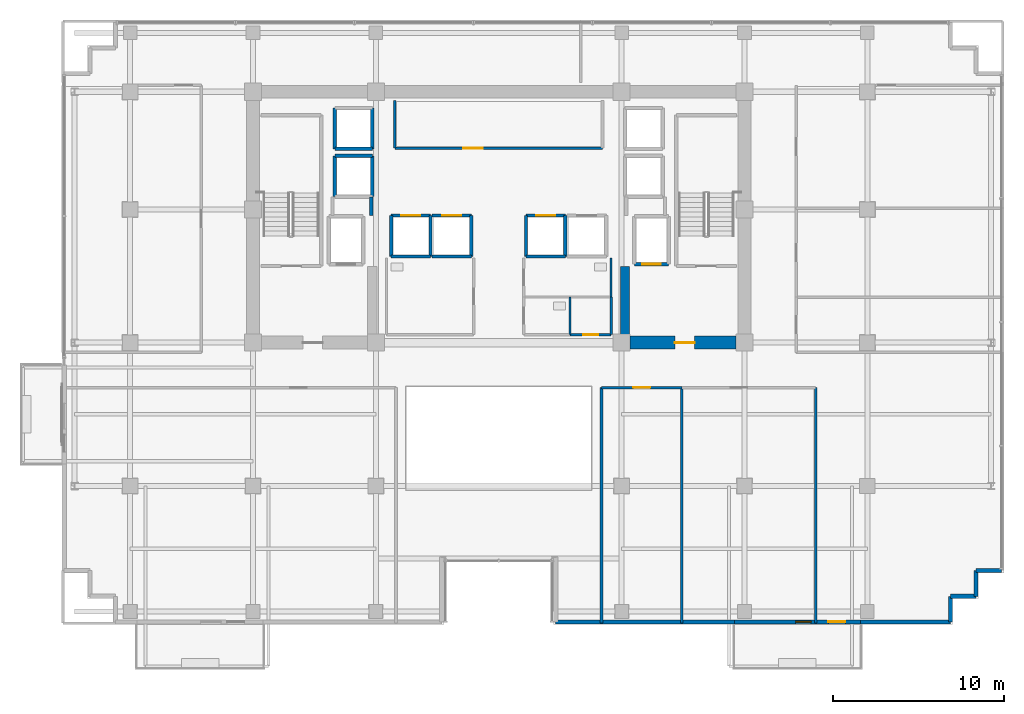
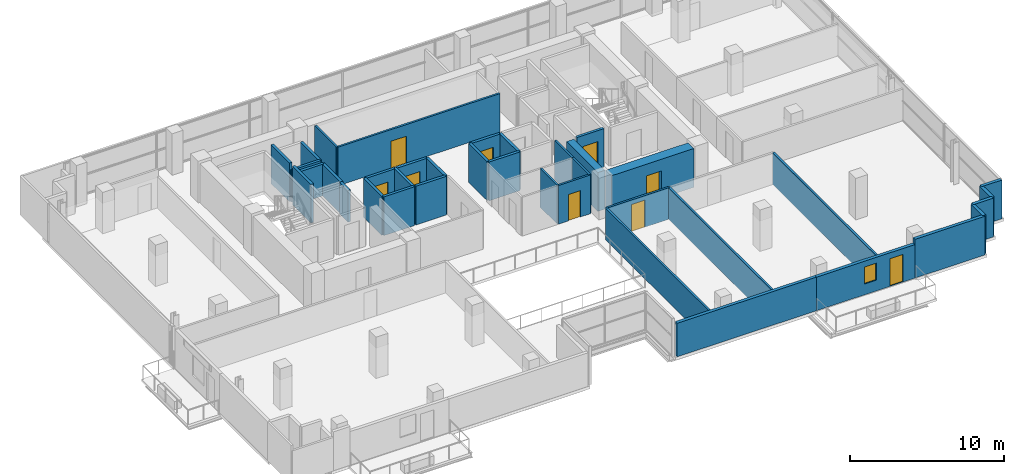
# One storey, part 16 of 23: 38 walls, 9 doors, 1 window, 10 openings.
"""IFC4 building model written with IfcOpenShell, lengths in metres."""

from ifc_helpers import new_model, si_unit, direction, frame, frame_2d, origin, place, context, subcontext, project, spatial, rectangle, extrude, source, transform, mapped, material, layer, layer_set, type_object, element, fill, save


model = new_model("IFC4")

# Units and contexts
model_context = context("Model", 3, precision=1e-05, world=origin(), true_north=direction((0.0, 1.0)))
body_context = subcontext(model_context, "Body", "Model", "MODEL_VIEW")
ifc_project = project(units=[si_unit("LENGTHUNIT", "METRE"), si_unit("AREAUNIT", "SQUARE_METRE"), si_unit("VOLUMEUNIT", "CUBIC_METRE"), si_unit("PLANEANGLEUNIT", "RADIAN"), si_unit("MASSUNIT", "GRAM", prefix="KILO")], contexts=[model_context])

# Site, building, storey
site_placement = place(None, origin())
site = spatial("IfcSite", under=ifc_project, at=site_placement, CompositionType="ELEMENT")
building_placement = place(site_placement, origin())
building = spatial("IfcBuilding", under=site, at=building_placement, Name="Zarnakvel Exchange Tower", CompositionType="ELEMENT")
storey_placement = place(building_placement, frame((0.0, 0.0, 129.699951171875)))
storey = spatial("IfcBuildingStorey", under=building, at=storey_placement, Name="L36", CompositionType="ELEMENT", Elevation=129.699951171875)

# Wall, opening, door
ifc_material_1 = material(Name="Concrete C60/75", Category="concrete")
ifc_layer_1 = layer(ifc_material_1, 0.75)
ifc_layer_set_1 = layer_set([ifc_layer_1], Name="Concrete C60/75")
wall_type_1 = type_object("IfcWallType", Name="CW-C3", PredefinedType="SHEAR", material=ifc_layer_set_1)
wall_1_placement = place(storey_placement, frame((13.89990234375, -1.199951171875, 0.0), z_axis=(0.0, 0.0, 1.0), x_axis=(-1.0, 0.0, 0.0)))
wall_1 = element("IfcWall", 1, at=wall_1_placement, inside=storey, type_object=wall_type_1, Name="L36 Rear Core Shear Wall SE (CW-C3)", PredefinedType="SHEAR", context=body_context, shape_type="SweptSolid", body=[
    extrude(rectangle(XDim=6.199951171875, YDim=0.75, at=frame_2d((3.10009765625, 0.0))), origin(), (0.0, 0.0, 1.0), 3.074951171875),
])
opening_1_placement = place(wall_1_placement, frame((2.425048828125, 0.0, 0.0)))
opening_1 = element("IfcOpeningElement", 2, at=opening_1_placement, cuts=wall_1, Name="Opening D-L36-04", PredefinedType="OPENING", context=body_context, shape_type="SweptSolid", body=[
    extrude(rectangle(XDim=1.14990234375, YDim=2.14990234375, at=frame_2d((0.574951171875, 1.074951171875))), frame((0.0, 0.385009765625, 0.0), z_axis=(0.0, -1.0, 0.0), x_axis=(1.0, 0.0, 0.0)), (0.0, 0.0, 1.0), 0.77001953125),
])
ifc_material_2 = material(Name="Painted Galvanised Steel S355", Category="steel")
door_type_1 = type_object("IfcDoorType", Name="DT-04", OperationType="NOTDEFINED", PredefinedType="DOOR", material=ifc_material_2)
shared_shape_1 = source(origin(), body_context, "Body", "SweptSolid", [
    extrude(rectangle(XDim=1.14990234375, YDim=2.14990234375, at=frame_2d((0.574951171875, 1.074951171875))), frame((0.0, 0.02490234375, 0.0), z_axis=(0.0, -1.0, 0.0), x_axis=(1.0, 0.0, 0.0)), (0.0, 0.0, 1.0), 0.050048828125),
])
door_1_placement = place(opening_1_placement, origin())
door_1 = element("IfcDoor", 3, at=door_1_placement, inside=storey, type_object=door_type_1, Name="L36 Firefighting Lobby East Door D-L36-04", OperationType="SINGLE_SWING_RIGHT", OverallHeight=2.14990234375, OverallWidth=1.14990234375, PredefinedType="DOOR", context=body_context, shape_type="MappedRepresentation", body=[
    mapped(shared_shape_1, transform((0.0, 0.0, 0.0), x_axis=(1.0, 0.0, 0.0), y_axis=(0.0, 1.0, 0.0), z_axis=(0.0, 0.0, 1.0), scale=1.0)),
])
fill(opening_1, door_1)

# Wall
ifc_layer_2 = layer(ifc_material_1, 0.550048828125)
ifc_layer_set_2 = layer_set([ifc_layer_2], Name="Concrete C60/75")
wall_type_2 = type_object("IfcWallType", Name="CW-C4", PredefinedType="SHEAR", material=ifc_layer_set_2)
wall_2_placement = place(storey_placement, frame((7.39990234375, -0.824951171875, 0.0), z_axis=(0.0, 0.0, 1.0), x_axis=(0.0, 1.0, 0.0)))
element("IfcWall", 4, at=wall_2_placement, inside=storey, type_object=wall_type_2, Name="L36 Rear Core Shear Wall IE (CW-C4)", PredefinedType="SHEAR", context=body_context, shape_type="SweptSolid", body=[
    extrude(rectangle(XDim=4.074951171875, YDim=0.550048828125, at=frame_2d((2.03759765625, 0.0))), origin(), (0.0, 0.0, 1.0), 3.074951171875),
])

# Wall, openings, door, window
ifc_material_3 = material(Name="Precast concrete C40/50", Category="concrete")
ifc_layer_3 = layer(ifc_material_3, 0.239990234375)
ifc_layer_set_3 = layer_set([ifc_layer_3], Name="Precast concrete C40/50")
wall_type_3 = type_object("IfcWallType", Name="EW-02", PredefinedType="SOLIDWALL", material=ifc_layer_set_3)
wall_3_placement = place(storey_placement, frame((21.199951171875, -17.56005859375, 0.0), z_axis=(0.0, 0.0, 1.0), x_axis=(-1.0, 0.0, 0.0)))
wall_3 = element("IfcWall", 5, at=wall_3_placement, inside=storey, type_object=wall_type_3, Name="L36 Exterior Precast Spandrel Wall EW-BAL-L36-SE (EW-02)", PredefinedType="SOLIDWALL", context=body_context, shape_type="SweptSolid", body=[
    extrude(rectangle(XDim=7.39990234375, YDim=0.239990234375, at=frame_2d((3.699951171875, 0.0))), origin(), (0.0, 0.0, 1.0), 2.6650390625),
])
opening_2_placement = place(wall_3_placement, frame((0.887939453125, 0.0, 0.0)))
opening_2 = element("IfcOpeningElement", 6, at=opening_2_placement, cuts=wall_3, Name="Opening BD-L36-02", PredefinedType="OPENING", context=body_context, shape_type="SweptSolid", body=[
    extrude(rectangle(XDim=1.0, YDim=2.199951171875, at=frame_2d((0.5, 1.10009765625))), frame((0.0, 0.1298828125, 0.0), z_axis=(0.0, -1.0, 0.0), x_axis=(1.0, 0.0, 0.0)), (0.0, 0.0, 1.0), 0.260009765625),
])
opening_3_placement = place(wall_3_placement, frame((2.89990234375, 0.0, 0.85009765625)))
opening_3 = element("IfcOpeningElement", 7, at=opening_3_placement, cuts=wall_3, Name="Opening WN-06", PredefinedType="OPENING", context=body_context, shape_type="SweptSolid", body=[
    extrude(rectangle(XDim=0.89990234375, YDim=1.35009765625, at=frame_2d((0.449951171875, 0.675048828125))), frame((0.0, 0.1298828125, 0.0), z_axis=(0.0, -1.0, 0.0), x_axis=(1.0, 0.0, 0.0)), (0.0, 0.0, 1.0), 0.260009765625),
])
ifc_material_4 = material(Name="Architectural Bronze Anodised Aluminium", Category="aluminium")
door_type_2 = type_object("IfcDoorType", Name="DT-09", OperationType="NOTDEFINED", PredefinedType="DOOR", material=ifc_material_4)
shared_shape_2 = source(origin(), body_context, "Body", "SweptSolid", [
    extrude(rectangle(XDim=1.0, YDim=2.199951171875, at=frame_2d((0.5, 1.10009765625))), frame((0.0, 0.02490234375, 0.0), z_axis=(0.0, -1.0, 0.0), x_axis=(1.0, 0.0, 0.0)), (0.0, 0.0, 1.0), 0.050048828125),
])
door_2_placement = place(opening_2_placement, origin())
door_2 = element("IfcDoor", 8, at=door_2_placement, inside=storey, type_object=door_type_2, Name="L36 Planted Loggia Balcony Door BD-L36-02", OperationType="SINGLE_SWING_LEFT", OverallHeight=2.199951171875, OverallWidth=1.0, PredefinedType="DOOR", context=body_context, shape_type="MappedRepresentation", body=[
    mapped(shared_shape_2, transform((0.0, 0.0, 0.0), x_axis=(1.0, 0.0, 0.0), y_axis=(0.0, 1.0, 0.0), z_axis=(0.0, 0.0, 1.0), scale=1.0)),
])
fill(opening_2, door_2)
ifc_material_5 = material(Name="Double Low-E Laminated Vision Glass", Category="glass")
window_type = type_object("IfcWindowType", Name="WN-06", PartitioningType="SINGLE_PANEL", PredefinedType="WINDOW", material=ifc_material_5)
shared_shape_3 = source(origin(), body_context, "Body", "SweptSolid", [
    extrude(rectangle(XDim=0.89990234375, YDim=1.35009765625, at=frame_2d((0.449951171875, 0.675048828125))), frame((0.0, 0.030029296875, 0.0), z_axis=(0.0, -1.0, 0.0), x_axis=(1.0, 0.0, 0.0)), (0.0, 0.0, 1.0), 0.06005859375),
])
window_placement = place(opening_3_placement, origin())
window = element("IfcWindow", 9, at=window_placement, inside=storey, type_object=window_type, Name="L36 Loggia Daylight Window (WN-06)", OverallHeight=1.35009765625, OverallWidth=0.89990234375, PartitioningType="SINGLE_PANEL", PredefinedType="WINDOW", context=body_context, shape_type="MappedRepresentation", body=[
    mapped(shared_shape_3, transform((0.0, 0.0, 0.0), x_axis=(1.0, 0.0, 0.0), y_axis=(0.0, 1.0, 0.0), z_axis=(0.0, 0.0, 1.0), scale=1.0)),
])
fill(opening_3, window)

# Walls
for number, where, z_axis, x_axis, name in (
    (10, (27.9599609375, -14.56005859375, 0.0), (0.0, 0.0, 1.0), (1.0, 0.0, 0.0), "L36 Exterior Precast Spandrel Wall EWC-L36-11 (EW-02)"),
    (11, (27.9599609375, -16.06005859375, 0.0), (0.0, 0.0, 1.0), (0.0, 1.0, 0.0), "L36 Exterior Precast Spandrel Wall EWC-L36-12 (EW-02)"),
    (12, (26.4599609375, -16.06005859375, 0.0), (0.0, 0.0, 1.0), (1.0, 0.0, 0.0), "L36 Exterior Precast Spandrel Wall EWC-L36-13 (EW-02)"),
    (13, (26.4599609375, -17.56005859375, 0.0), (0.0, 0.0, 1.0), (0.0, 1.0, 0.0), "L36 Exterior Precast Spandrel Wall EWC-L36-14 (EW-02)"),
):
    element("IfcWall", number, at=place(storey_placement, frame(where, z_axis=z_axis, x_axis=x_axis)), inside=storey, type_object=wall_type_3, Name=name, PredefinedType="SOLIDWALL", context=body_context, shape_type="SweptSolid", body=[
        extrude(rectangle(XDim=1.5, YDim=0.239990234375, at=frame_2d((0.75, 0.0))), origin(), (0.0, 0.0, 1.0), 3.074951171875),
    ])
wall_4_placement = place(storey_placement, frame((21.199951171875, -17.56005859375, 0.0), z_axis=(0.0, 0.0, 1.0), x_axis=(1.0, 0.0, 0.0)))
element("IfcWall", 14, at=wall_4_placement, inside=storey, type_object=wall_type_3, Name="L36 Exterior Precast Spandrel Wall EWC-L36-15 (EW-02)", PredefinedType="SOLIDWALL", context=body_context, shape_type="SweptSolid", body=[
    extrude(rectangle(XDim=5.260009765625, YDim=0.239990234375, at=frame_2d((2.6298828125, 0.0))), origin(), (0.0, 0.0, 1.0), 3.074951171875),
])
wall_5_placement = place(storey_placement, frame((3.340087890625, -17.56005859375, 0.0), z_axis=(0.0, 0.0, 1.0), x_axis=(1.0, 0.0, 0.0)))
element("IfcWall", 15, at=wall_5_placement, inside=storey, type_object=wall_type_3, Name="L36 Exterior Precast Spandrel Wall EWC-L36-16 (EW-02)", PredefinedType="SOLIDWALL", context=body_context, shape_type="SweptSolid", body=[
    extrude(rectangle(XDim=10.4599609375, YDim=0.239990234375, at=frame_2d((5.22998046875, 0.0))), origin(), (0.0, 0.0, 1.0), 2.6650390625),
])

# Wall, opening, door
ifc_material_6 = material(Name="Fire-Rated Gypsum Stud Partition", Category="gypsum")
ifc_layer_4 = layer(ifc_material_6, 0.14990234375)
ifc_layer_set_4 = layer_set([ifc_layer_4], Name="Fire-Rated Gypsum Stud Partition")
wall_type_4 = type_object("IfcWallType", Name="PT-01", PredefinedType="PARTITIONING", material=ifc_layer_set_4)
wall_6_placement = place(storey_placement, frame((6.080078125, 10.199951171875, 0.0), z_axis=(0.0, 0.0, 1.0), x_axis=(-1.0, 0.0, 0.0)))
wall_6 = element("IfcWall", 16, at=wall_6_placement, inside=storey, type_object=wall_type_4, Name="L36 Partition Wall PWALL-L36-011 (PT-01)", PredefinedType="PARTITIONING", context=body_context, shape_type="SweptSolid", body=[
    extrude(rectangle(XDim=12.16015625, YDim=0.14990234375, at=frame_2d((6.080078125, 0.0))), origin(), (0.0, 0.0, 1.0), 3.074951171875),
])
opening_4_placement = place(wall_6_placement, frame((7.0048828125, 0.0, 0.0)))
opening_4 = element("IfcOpeningElement", 17, at=opening_4_placement, cuts=wall_6, Name="Opening D-L36-05", PredefinedType="OPENING", context=body_context, shape_type="SweptSolid", body=[
    extrude(rectangle(XDim=1.14990234375, YDim=2.14990234375, at=frame_2d((0.574951171875, 1.074951171875))), frame((0.0, 0.0849609375, 0.0), z_axis=(0.0, -1.0, 0.0), x_axis=(1.0, 0.0, 0.0)), (0.0, 0.0, 1.0), 0.169921875),
])
door_3_placement = place(opening_4_placement, origin())
door_3 = element("IfcDoor", 18, at=door_3_placement, inside=storey, type_object=door_type_1, Name="L36 Market Data Archive Suite Door D-L36-05", OperationType="SINGLE_SWING_LEFT", OverallHeight=2.14990234375, OverallWidth=1.14990234375, PredefinedType="DOOR", context=body_context, shape_type="MappedRepresentation", body=[
    mapped(shared_shape_1, transform((0.0, 0.0, 0.0), x_axis=(1.0, 0.0, 0.0), y_axis=(0.0, 1.0, 0.0), z_axis=(0.0, 0.0, 1.0), scale=1.0)),
])
fill(opening_4, door_3)

# Wall
wall_7_placement = place(storey_placement, frame((-6.080078125, 10.199951171875, 0.0), z_axis=(0.0, 0.0, 1.0), x_axis=(0.0, 1.0, 0.0)))
element("IfcWall", 19, at=wall_7_placement, inside=storey, type_object=wall_type_4, Name="L36 Partition Wall PWALL-L36-012 (PT-01)", PredefinedType="PARTITIONING", context=body_context, shape_type="SweptSolid", body=[
    extrude(rectangle(XDim=2.800048828125, YDim=0.14990234375, at=frame_2d((1.39990234375, 0.0))), origin(), (0.0, 0.0, 1.0), 3.074951171875),
])

# Wall, opening, door
wall_8_placement = place(storey_placement, frame((6.580078125, -0.72998046875, 0.0), z_axis=(0.0, 0.0, 1.0), x_axis=(-1.0, 0.0, 0.0)))
wall_8 = element("IfcWall", 20, at=wall_8_placement, inside=storey, type_object=wall_type_4, Name="L36 Partition Wall PWALL-L36-023 (PT-01)", PredefinedType="PARTITIONING", context=body_context, shape_type="SweptSolid", body=[
    extrude(rectangle(XDim=2.400146484375, YDim=0.14990234375, at=frame_2d((1.2001953125, 0.0))), origin(), (0.0, 0.0, 1.0), 3.074951171875),
])
opening_5_placement = place(wall_8_placement, frame((0.760009765625, 0.0, 0.0)))
opening_5 = element("IfcOpeningElement", 21, at=opening_5_placement, cuts=wall_8, Name="Opening D-L36-09", PredefinedType="OPENING", context=body_context, shape_type="SweptSolid", body=[
    extrude(rectangle(XDim=0.8798828125, YDim=2.10009765625, at=frame_2d((0.43994140625, 1.050048828125))), frame((0.0, 0.0849609375, 0.0), z_axis=(0.0, -1.0, 0.0), x_axis=(1.0, 0.0, 0.0)), (0.0, 0.0, 1.0), 0.169921875),
])
door_type_3 = type_object("IfcDoorType", Name="DT-08", OperationType="NOTDEFINED", PredefinedType="DOOR", material=ifc_material_2)
shared_shape_4 = source(origin(), body_context, "Body", "SweptSolid", [
    extrude(rectangle(XDim=0.8798828125, YDim=2.10009765625, at=frame_2d((0.43994140625, 1.050048828125))), frame((0.0, 0.02490234375, 0.0), z_axis=(0.0, -1.0, 0.0), x_axis=(1.0, 0.0, 0.0)), (0.0, 0.0, 1.0), 0.050048828125),
])
door_4_placement = place(opening_5_placement, origin())
door_4 = element("IfcDoor", 22, at=door_4_placement, inside=storey, type_object=door_type_3, Name="L36 Cleaners Store Door D-L36-09", OperationType="SINGLE_SWING_LEFT", OverallHeight=2.10009765625, OverallWidth=0.8798828125, PredefinedType="DOOR", context=body_context, shape_type="MappedRepresentation", body=[
    mapped(shared_shape_4, transform((0.0, 0.0, 0.0), x_axis=(1.0, 0.0, 0.0), y_axis=(0.0, 1.0, 0.0), z_axis=(0.0, 0.0, 1.0), scale=1.0)),
])
fill(opening_5, door_4)

# Wall
wall_9_placement = place(storey_placement, frame((6.580078125, 1.47998046875, 0.0), z_axis=(0.0, 0.0, 1.0), x_axis=(0.0, -1.0, 0.0)))
element("IfcWall", 23, at=wall_9_placement, inside=storey, type_object=wall_type_4, Name="L36 Partition Wall PWALL-L36-024 (PT-01)", PredefinedType="PARTITIONING", context=body_context, shape_type="SweptSolid", body=[
    extrude(rectangle(XDim=2.2099609375, YDim=0.14990234375, at=frame_2d((1.10498046875, 0.0))), origin(), (0.0, 0.0, 1.0), 3.074951171875),
])

# Wall, opening, door
wall_10_placement = place(storey_placement, frame((6.02001953125, -3.830078125, 0.0), z_axis=(0.0, 0.0, 1.0), x_axis=(1.0, 0.0, 0.0)))
wall_10 = element("IfcWall", 24, at=wall_10_placement, inside=storey, type_object=wall_type_4, Name="L36 Partition Wall PWALL-L36-030 (PT-01)", PredefinedType="PARTITIONING", context=body_context, shape_type="SweptSolid", body=[
    extrude(rectangle(XDim=4.708984375, YDim=0.14990234375, at=frame_2d((2.3544921875, 0.0))), origin(), (0.0, 0.0, 1.0), 2.51513671875),
])
opening_6_placement = place(wall_10_placement, frame((1.864990234375, 0.0, 0.0)))
opening_6 = element("IfcOpeningElement", 25, at=opening_6_placement, cuts=wall_10, Name="Opening D-L36-11", PredefinedType="OPENING", context=body_context, shape_type="SweptSolid", body=[
    extrude(rectangle(XDim=0.97998046875, YDim=2.14990234375, at=frame_2d((0.489990234375, 1.074951171875))), frame((0.0, 0.0849609375, 0.0), z_axis=(0.0, -1.0, 0.0), x_axis=(1.0, 0.0, 0.0)), (0.0, 0.0, 1.0), 0.169921875),
])
ifc_material_7 = material(Name="Timber Acoustic Veneer", Category="wood")
door_type_4 = type_object("IfcDoorType", Name="DT-05", OperationType="NOTDEFINED", PredefinedType="DOOR", material=ifc_material_7)
shared_shape_5 = source(origin(), body_context, "Body", "SweptSolid", [
    extrude(rectangle(XDim=0.97998046875, YDim=2.14990234375, at=frame_2d((0.489990234375, 1.074951171875))), frame((0.0, 0.02490234375, 0.0), z_axis=(0.0, -1.0, 0.0), x_axis=(1.0, 0.0, 0.0)), (0.0, 0.0, 1.0), 0.050048828125),
])
door_5_placement = place(opening_6_placement, origin())
door_5 = element("IfcDoor", 26, at=door_5_placement, inside=storey, type_object=door_type_4, Name="L36 Meeting Room Door D-L36-11", OperationType="SINGLE_SWING_LEFT", OverallHeight=2.14990234375, OverallWidth=0.97998046875, PredefinedType="DOOR", context=body_context, shape_type="MappedRepresentation", body=[
    mapped(shared_shape_5, transform((0.0, 0.0, 0.0), x_axis=(1.0, 0.0, 0.0), y_axis=(0.0, 1.0, 0.0), z_axis=(0.0, 0.0, 1.0), scale=1.0)),
])
fill(opening_6, door_5)

# Walls
for number, where, z_axis, x_axis, name in (
    (27, (6.02001953125, -17.6298828125, 0.0), (0.0, 0.0, 1.0), (0.0, 1.0, 0.0), "L36 Partition Wall PWALL-L36-031 (PT-01)"),
    (28, (10.72900390625, -3.830078125, 0.0), (0.0, 0.0, 1.0), (0.0, -1.0, 0.0), "L36 Partition Wall PWALL-L36-032 (PT-01)"),
    (29, (18.56591796875, -3.830078125, 0.0), (0.0, 0.0, 1.0), (0.0, -1.0, 0.0), "L36 Partition Wall PWALL-L36-035 (PT-01)"),
):
    element("IfcWall", number, at=place(storey_placement, frame(where, z_axis=z_axis, x_axis=x_axis)), inside=storey, type_object=wall_type_4, Name=name, PredefinedType="PARTITIONING", context=body_context, shape_type="SweptSolid", body=[
        extrude(rectangle(XDim=13.7998046875, YDim=0.14990234375, at=frame_2d((6.89990234375, 0.0))), origin(), (0.0, 0.0, 1.0), 2.51513671875),
    ])
ifc_layer_5 = layer(ifc_material_6, 0.179931640625)
ifc_layer_set_5 = layer_set([ifc_layer_5], Name="Fire-Rated Gypsum Stud Partition")
wall_type_5 = type_object("IfcWallType", Name="PT-02", PredefinedType="PARTITIONING", material=ifc_layer_set_5)
wall_11_placement = place(storey_placement, frame((-7.469970703125, 7.330078125, 0.0), z_axis=(0.0, 0.0, 1.0), x_axis=(0.0, -1.0, 0.0)))
element("IfcWall", 30, at=wall_11_placement, inside=storey, type_object=wall_type_5, Name="L36 Partition Wall PWALL-L36-008 (PT-02)", PredefinedType="PARTITIONING", context=body_context, shape_type="SweptSolid", body=[
    extrude(rectangle(XDim=1.090087890625, YDim=0.179931640625, at=frame_2d((0.544921875, 0.0))), origin(), (0.0, 0.0, 1.0), 2.51513671875),
])
ifc_material_8 = material(Name="Moisture-Resistant Tile-Faced Partition", Category="gypsum")
ifc_layer_6 = layer(ifc_material_8, 0.135009765625)
ifc_layer_set_6 = layer_set([ifc_layer_6], Name="Moisture-Resistant Tile-Faced Partition")
wall_type_6 = type_object("IfcWallType", Name="PT-03", PredefinedType="PARTITIONING", material=ifc_layer_set_6)
wall_12_placement = place(storey_placement, frame((6.580078125, 3.760009765625, 0.0), z_axis=(0.0, 0.0, 1.0), x_axis=(0.0, -1.0, 0.0)))
element("IfcWall", 31, at=wall_12_placement, inside=storey, type_object=wall_type_6, Name="L36 Partition Wall PWALL-L36-019 (PT-03)", PredefinedType="PARTITIONING", context=body_context, shape_type="SweptSolid", body=[
    extrude(rectangle(XDim=2.280029296875, YDim=0.135009765625, at=frame_2d((1.14013671875, 0.0))), origin(), (0.0, 0.0, 1.0), 3.074951171875),
])
wall_13_placement = place(storey_placement, frame((4.179931640625, 1.47998046875, 0.0), z_axis=(0.0, 0.0, 1.0), x_axis=(0.0, -1.0, 0.0)))
element("IfcWall", 32, at=wall_13_placement, inside=storey, type_object=wall_type_6, Name="L36 Partition Wall PWALL-L36-022 (PT-03)", PredefinedType="PARTITIONING", context=body_context, shape_type="SweptSolid", body=[
    extrude(rectangle(XDim=2.2099609375, YDim=0.135009765625, at=frame_2d((1.10498046875, 0.0))), origin(), (0.0, 0.0, 1.0), 3.074951171875),
])

# Wall, opening, door
ifc_material_9 = material(Name="Concrete C40/50", Category="concrete")
ifc_layer_7 = layer(ifc_material_9, 0.199951171875)
ifc_layer_set_7 = layer_set([ifc_layer_7], Name="Concrete C40/50")
wall_type_7 = type_object("IfcWallType", Name="SW-01", PredefinedType="SOLIDWALL", material=ifc_layer_set_7)
wall_14_placement = place(storey_placement, frame((9.949951171875, 3.39990234375, 0.0), z_axis=(0.0, 0.0, 1.0), x_axis=(-1.0, 0.0, 0.0)))
wall_14 = element("IfcWall", 33, at=wall_14_placement, inside=storey, type_object=wall_type_7, Name="L36 FL-02 Hoistway Wall South", PredefinedType="SOLIDWALL", context=body_context, shape_type="SweptSolid", body=[
    extrude(rectangle(XDim=2.0, YDim=0.199951171875, at=frame_2d((1.0, 0.0))), origin(), (0.0, 0.0, 1.0), 3.074951171875),
])
opening_7_placement = place(wall_14_placement, frame((0.449951171875, 0.0, 0.0)))
opening_7 = element("IfcOpeningElement", 34, at=opening_7_placement, cuts=wall_14, Name="Opening LD-FL-02-L36", PredefinedType="OPENING", context=body_context, shape_type="SweptSolid", body=[
    extrude(rectangle(XDim=1.10009765625, YDim=2.199951171875, at=frame_2d((0.550048828125, 1.10009765625))), frame((0.0, 0.10986328125, 0.0), z_axis=(0.0, -1.0, 0.0), x_axis=(1.0, 0.0, 0.0)), (0.0, 0.0, 1.0), 0.219970703125),
])
ifc_material_10 = material(Name="Brushed Stainless Steel", Category="steel")
door_type_5 = type_object("IfcDoorType", Name="LDT-01", OperationType="NOTDEFINED", PredefinedType="DOOR", material=ifc_material_10)
shared_shape_6 = source(origin(), body_context, "Body", "SweptSolid", [
    extrude(rectangle(XDim=1.10009765625, YDim=2.199951171875, at=frame_2d((0.550048828125, 1.10009765625))), frame((0.0, 0.02490234375, 0.0), z_axis=(0.0, -1.0, 0.0), x_axis=(1.0, 0.0, 0.0)), (0.0, 0.0, 1.0), 0.050048828125),
])
door_6_placement = place(opening_7_placement, origin())
door_6 = element("IfcDoor", 35, at=door_6_placement, inside=storey, type_object=door_type_5, Name="L36 FL-02 Lift Landing Door LD-FL-02-L36", OperationType="DOUBLE_DOOR_SLIDING", OverallHeight=2.199951171875, OverallWidth=1.10009765625, PredefinedType="DOOR", context=body_context, shape_type="MappedRepresentation", body=[
    mapped(shared_shape_6, transform((0.0, 0.0, 0.0), x_axis=(1.0, 0.0, 0.0), y_axis=(0.0, 1.0, 0.0), z_axis=(0.0, 0.0, 1.0), scale=1.0)),
])
fill(opening_7, door_6)

# Wall
wall_15_placement = place(storey_placement, frame((-4.0, 3.85009765625, 0.0), z_axis=(0.0, 0.0, 1.0), x_axis=(-1.0, 0.0, 0.0)))
element("IfcWall", 36, at=wall_15_placement, inside=storey, type_object=wall_type_7, Name="L36 PL-05 Hoistway Wall South", PredefinedType="SOLIDWALL", context=body_context, shape_type="SweptSolid", body=[
    extrude(rectangle(XDim=2.300048828125, YDim=0.199951171875, at=frame_2d((1.14990234375, 0.0))), origin(), (0.0, 0.0, 1.0), 3.074951171875),
])

# Wall, opening, door
wall_16_placement = place(storey_placement, frame((-6.300048828125, 6.25, 0.0), z_axis=(0.0, 0.0, 1.0), x_axis=(1.0, 0.0, 0.0)))
wall_16 = element("IfcWall", 37, at=wall_16_placement, inside=storey, type_object=wall_type_7, Name="L36 PL-05 Hoistway Wall North", PredefinedType="SOLIDWALL", context=body_context, shape_type="SweptSolid", body=[
    extrude(rectangle(XDim=2.300048828125, YDim=0.199951171875, at=frame_2d((1.14990234375, 0.0))), origin(), (0.0, 0.0, 1.0), 3.074951171875),
])
opening_8_placement = place(wall_16_placement, frame((0.60009765625, 0.0, 0.0)))
opening_8 = element("IfcOpeningElement", 38, at=opening_8_placement, cuts=wall_16, Name="Opening LD-PL-05-L36", PredefinedType="OPENING", context=body_context, shape_type="SweptSolid", body=[
    extrude(rectangle(XDim=1.10009765625, YDim=2.199951171875, at=frame_2d((0.550048828125, 1.10009765625))), frame((0.0, 0.10986328125, 0.0), z_axis=(0.0, -1.0, 0.0), x_axis=(1.0, 0.0, 0.0)), (0.0, 0.0, 1.0), 0.219970703125),
])
door_type_6 = type_object("IfcDoorType", Name="LDT-02", OperationType="NOTDEFINED", PredefinedType="DOOR", material=ifc_material_4)
door_7_placement = place(opening_8_placement, origin())
door_7 = element("IfcDoor", 39, at=door_7_placement, inside=storey, type_object=door_type_6, Name="L36 PL-05 Lift Landing Door LD-PL-05-L36", OperationType="DOUBLE_DOOR_SLIDING", OverallHeight=2.199951171875, OverallWidth=1.10009765625, PredefinedType="DOOR", context=body_context, shape_type="MappedRepresentation", body=[
    mapped(shared_shape_6, transform((0.0, 0.0, 0.0), x_axis=(1.0, 0.0, 0.0), y_axis=(0.0, 1.0, 0.0), z_axis=(0.0, 0.0, 1.0), scale=1.0)),
])
fill(opening_8, door_7)

# Walls
for number, where, z_axis, x_axis, name in (
    (40, (-6.300048828125, 3.85009765625, 0.0), (0.0, 0.0, 1.0), (0.0, 1.0, 0.0), "L36 PL-05 Hoistway Wall West"),
    (41, (-4.0, 6.25, 0.0), (0.0, 0.0, 1.0), (0.0, -1.0, 0.0), "L36 PL-05 Hoistway Wall East"),
):
    element("IfcWall", number, at=place(storey_placement, frame(where, z_axis=z_axis, x_axis=x_axis)), inside=storey, type_object=wall_type_7, Name=name, PredefinedType="SOLIDWALL", context=body_context, shape_type="SweptSolid", body=[
        extrude(rectangle(XDim=2.39990234375, YDim=0.199951171875, at=frame_2d((1.199951171875, 0.0))), origin(), (0.0, 0.0, 1.0), 3.074951171875),
    ])
wall_17_placement = place(storey_placement, frame((-1.60009765625, 3.85009765625, 0.0), z_axis=(0.0, 0.0, 1.0), x_axis=(-1.0, 0.0, 0.0)))
element("IfcWall", 42, at=wall_17_placement, inside=storey, type_object=wall_type_7, Name="L36 PL-06 Hoistway Wall South", PredefinedType="SOLIDWALL", context=body_context, shape_type="SweptSolid", body=[
    extrude(rectangle(XDim=2.2998046875, YDim=0.199951171875, at=frame_2d((1.14990234375, 0.0))), origin(), (0.0, 0.0, 1.0), 3.074951171875),
])

# Wall, opening, door
wall_18_placement = place(storey_placement, frame((-3.89990234375, 6.25, 0.0), z_axis=(0.0, 0.0, 1.0), x_axis=(1.0, 0.0, 0.0)))
wall_18 = element("IfcWall", 43, at=wall_18_placement, inside=storey, type_object=wall_type_7, Name="L36 PL-06 Hoistway Wall North", PredefinedType="SOLIDWALL", context=body_context, shape_type="SweptSolid", body=[
    extrude(rectangle(XDim=2.2998046875, YDim=0.199951171875, at=frame_2d((1.14990234375, 0.0))), origin(), (0.0, 0.0, 1.0), 3.074951171875),
])
opening_9_placement = place(wall_18_placement, frame((0.60009765625, 0.0, 0.0)))
opening_9 = element("IfcOpeningElement", 44, at=opening_9_placement, cuts=wall_18, Name="Opening LD-PL-06-L36", PredefinedType="OPENING", context=body_context, shape_type="SweptSolid", body=[
    extrude(rectangle(XDim=1.10009765625, YDim=2.199951171875, at=frame_2d((0.550048828125, 1.10009765625))), frame((0.0, 0.10986328125, 0.0), z_axis=(0.0, -1.0, 0.0), x_axis=(1.0, 0.0, 0.0)), (0.0, 0.0, 1.0), 0.219970703125),
])
door_8_placement = place(opening_9_placement, origin())
door_8 = element("IfcDoor", 45, at=door_8_placement, inside=storey, type_object=door_type_6, Name="L36 PL-06 Lift Landing Door LD-PL-06-L36", OperationType="DOUBLE_DOOR_SLIDING", OverallHeight=2.199951171875, OverallWidth=1.10009765625, PredefinedType="DOOR", context=body_context, shape_type="MappedRepresentation", body=[
    mapped(shared_shape_6, transform((0.0, 0.0, 0.0), x_axis=(1.0, 0.0, 0.0), y_axis=(0.0, 1.0, 0.0), z_axis=(0.0, 0.0, 1.0), scale=1.0)),
])
fill(opening_9, door_8)

# Walls
wall_19_placement = place(storey_placement, frame((-1.60009765625, 6.25, 0.0), z_axis=(0.0, 0.0, 1.0), x_axis=(0.0, -1.0, 0.0)))
element("IfcWall", 46, at=wall_19_placement, inside=storey, type_object=wall_type_7, Name="L36 PL-06 Hoistway Wall East", PredefinedType="SOLIDWALL", context=body_context, shape_type="SweptSolid", body=[
    extrude(rectangle(XDim=2.39990234375, YDim=0.199951171875, at=frame_2d((1.199951171875, 0.0))), origin(), (0.0, 0.0, 1.0), 3.074951171875),
])
wall_20_placement = place(storey_placement, frame((3.89990234375, 3.85009765625, 0.0), z_axis=(0.0, 0.0, 1.0), x_axis=(-1.0, 0.0, 0.0)))
element("IfcWall", 47, at=wall_20_placement, inside=storey, type_object=wall_type_7, Name="L36 PL-07 Hoistway Wall South", PredefinedType="SOLIDWALL", context=body_context, shape_type="SweptSolid", body=[
    extrude(rectangle(XDim=2.2998046875, YDim=0.199951171875, at=frame_2d((1.14990234375, 0.0))), origin(), (0.0, 0.0, 1.0), 3.074951171875),
])

# Wall, opening, door
wall_21_placement = place(storey_placement, frame((1.60009765625, 6.25, 0.0), z_axis=(0.0, 0.0, 1.0), x_axis=(1.0, 0.0, 0.0)))
wall_21 = element("IfcWall", 48, at=wall_21_placement, inside=storey, type_object=wall_type_7, Name="L36 PL-07 Hoistway Wall North", PredefinedType="SOLIDWALL", context=body_context, shape_type="SweptSolid", body=[
    extrude(rectangle(XDim=2.2998046875, YDim=0.199951171875, at=frame_2d((1.14990234375, 0.0))), origin(), (0.0, 0.0, 1.0), 3.074951171875),
])
opening_10_placement = place(wall_21_placement, frame((0.60009765625, 0.0, 0.0)))
opening_10 = element("IfcOpeningElement", 49, at=opening_10_placement, cuts=wall_21, Name="Opening LD-PL-07-L36", PredefinedType="OPENING", context=body_context, shape_type="SweptSolid", body=[
    extrude(rectangle(XDim=1.10009765625, YDim=2.199951171875, at=frame_2d((0.550048828125, 1.10009765625))), frame((0.0, 0.10986328125, 0.0), z_axis=(0.0, -1.0, 0.0), x_axis=(1.0, 0.0, 0.0)), (0.0, 0.0, 1.0), 0.219970703125),
])
door_9_placement = place(opening_10_placement, origin())
door_9 = element("IfcDoor", 50, at=door_9_placement, inside=storey, type_object=door_type_6, Name="L36 PL-07 Lift Landing Door LD-PL-07-L36", OperationType="DOUBLE_DOOR_SLIDING", OverallHeight=2.199951171875, OverallWidth=1.10009765625, PredefinedType="DOOR", context=body_context, shape_type="MappedRepresentation", body=[
    mapped(shared_shape_6, transform((0.0, 0.0, 0.0), x_axis=(1.0, 0.0, 0.0), y_axis=(0.0, 1.0, 0.0), z_axis=(0.0, 0.0, 1.0), scale=1.0)),
])
fill(opening_10, door_9)

# Walls
for number, where, z_axis, x_axis, name in (
    (51, (1.60009765625, 3.85009765625, 0.0), (0.0, 0.0, 1.0), (0.0, 1.0, 0.0), "L36 PL-07 Hoistway Wall West"),
    (52, (3.89990234375, 6.25, 0.0), (0.0, 0.0, 1.0), (0.0, -1.0, 0.0), "L36 PL-07 Hoistway Wall East"),
):
    element("IfcWall", number, at=place(storey_placement, frame(where, z_axis=z_axis, x_axis=x_axis)), inside=storey, type_object=wall_type_7, Name=name, PredefinedType="SOLIDWALL", context=body_context, shape_type="SweptSolid", body=[
        extrude(rectangle(XDim=2.39990234375, YDim=0.199951171875, at=frame_2d((1.199951171875, 0.0))), origin(), (0.0, 0.0, 1.0), 3.074951171875),
    ])
wall_22_placement = place(storey_placement, frame((-9.60009765625, 9.75, 0.0), z_axis=(0.0, 0.0, 1.0), x_axis=(1.0, 0.0, 0.0)))
element("IfcWall", 53, at=wall_22_placement, inside=storey, type_object=wall_type_7, Name="L36 PL-09 Hoistway Wall North", PredefinedType="SOLIDWALL", context=body_context, shape_type="SweptSolid", body=[
    extrude(rectangle(XDim=2.2001953125, YDim=0.199951171875, at=frame_2d((1.10009765625, 0.0))), origin(), (0.0, 0.0, 1.0), 2.51513671875),
])
wall_23_placement = place(storey_placement, frame((-9.60009765625, 7.35009765625, 0.0), z_axis=(0.0, 0.0, 1.0), x_axis=(0.0, 1.0, 0.0)))
element("IfcWall", 54, at=wall_23_placement, inside=storey, type_object=wall_type_7, Name="L36 PL-09 Hoistway Wall West", PredefinedType="SOLIDWALL", context=body_context, shape_type="SweptSolid", body=[
    extrude(rectangle(XDim=2.39990234375, YDim=0.199951171875, at=frame_2d((1.199951171875, 0.0))), origin(), (0.0, 0.0, 1.0), 3.074951171875),
])
wall_24_placement = place(storey_placement, frame((-7.39990234375, 9.75, 0.0), z_axis=(0.0, 0.0, 1.0), x_axis=(0.0, -1.0, 0.0)))
element("IfcWall", 55, at=wall_24_placement, inside=storey, type_object=wall_type_7, Name="L36 PL-09 Hoistway Wall East", PredefinedType="SOLIDWALL", context=body_context, shape_type="SweptSolid", body=[
    extrude(rectangle(XDim=2.39990234375, YDim=0.199951171875, at=frame_2d((1.199951171875, 0.0))), origin(), (0.0, 0.0, 1.0), 2.51513671875),
])
wall_25_placement = place(storey_placement, frame((-7.39990234375, 10.14990234375, 0.0), z_axis=(0.0, 0.0, 1.0), x_axis=(-1.0, 0.0, 0.0)))
element("IfcWall", 56, at=wall_25_placement, inside=storey, type_object=wall_type_7, Name="L36 PL-10 Hoistway Wall South", PredefinedType="SOLIDWALL", context=body_context, shape_type="SweptSolid", body=[
    extrude(rectangle(XDim=2.2001953125, YDim=0.199951171875, at=frame_2d((1.10009765625, 0.0))), origin(), (0.0, 0.0, 1.0), 2.51513671875),
])
wall_26_placement = place(storey_placement, frame((-9.60009765625, 10.14990234375, 0.0), z_axis=(0.0, 0.0, 1.0), x_axis=(0.0, 1.0, 0.0)))
element("IfcWall", 57, at=wall_26_placement, inside=storey, type_object=wall_type_7, Name="L36 PL-10 Hoistway Wall West", PredefinedType="SOLIDWALL", context=body_context, shape_type="SweptSolid", body=[
    extrude(rectangle(XDim=2.400146484375, YDim=0.199951171875, at=frame_2d((1.2001953125, 0.0))), origin(), (0.0, 0.0, 1.0), 3.074951171875),
])
wall_27_placement = place(storey_placement, frame((-7.39990234375, 12.550048828125, 0.0), z_axis=(0.0, 0.0, 1.0), x_axis=(0.0, -1.0, 0.0)))
element("IfcWall", 58, at=wall_27_placement, inside=storey, type_object=wall_type_7, Name="L36 PL-10 Hoistway Wall East", PredefinedType="SOLIDWALL", context=body_context, shape_type="SweptSolid", body=[
    extrude(rectangle(XDim=2.400146484375, YDim=0.199951171875, at=frame_2d((1.2001953125, 0.0))), origin(), (0.0, 0.0, 1.0), 2.51513671875),
])

save(model, "model.ifc")
